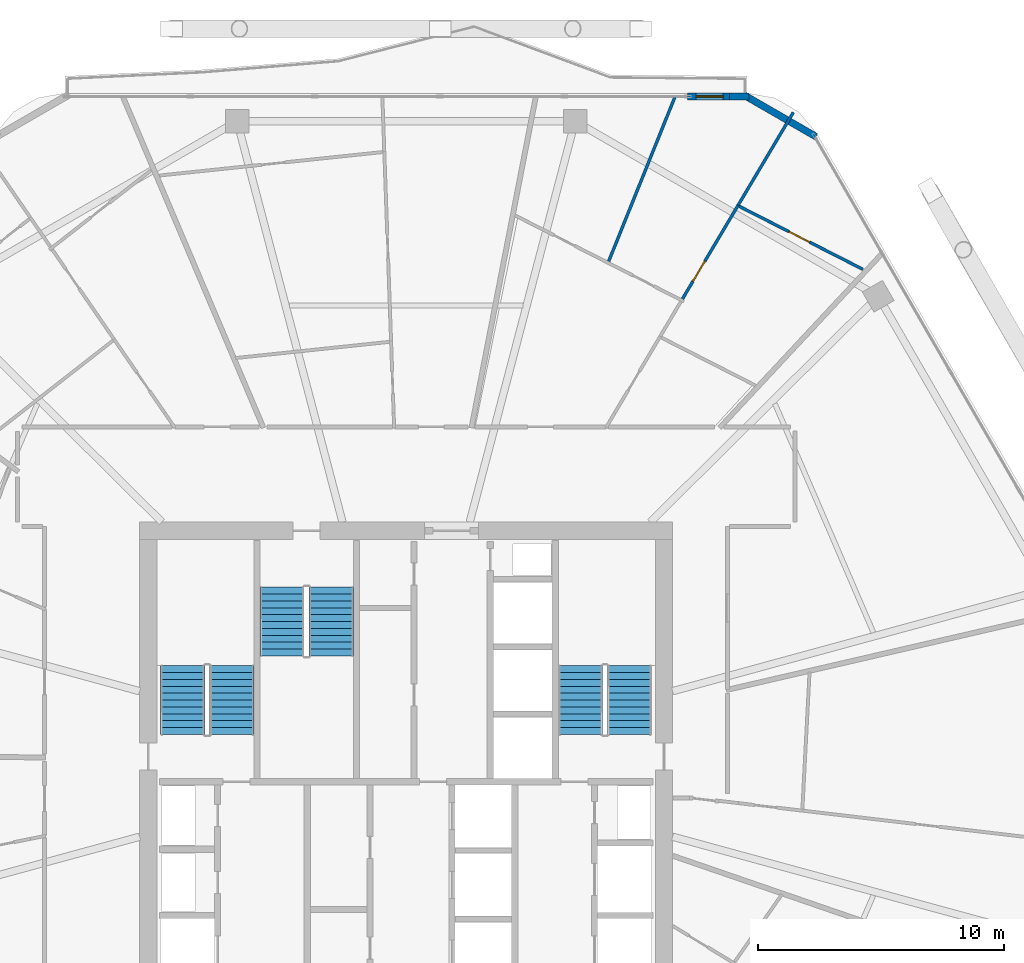
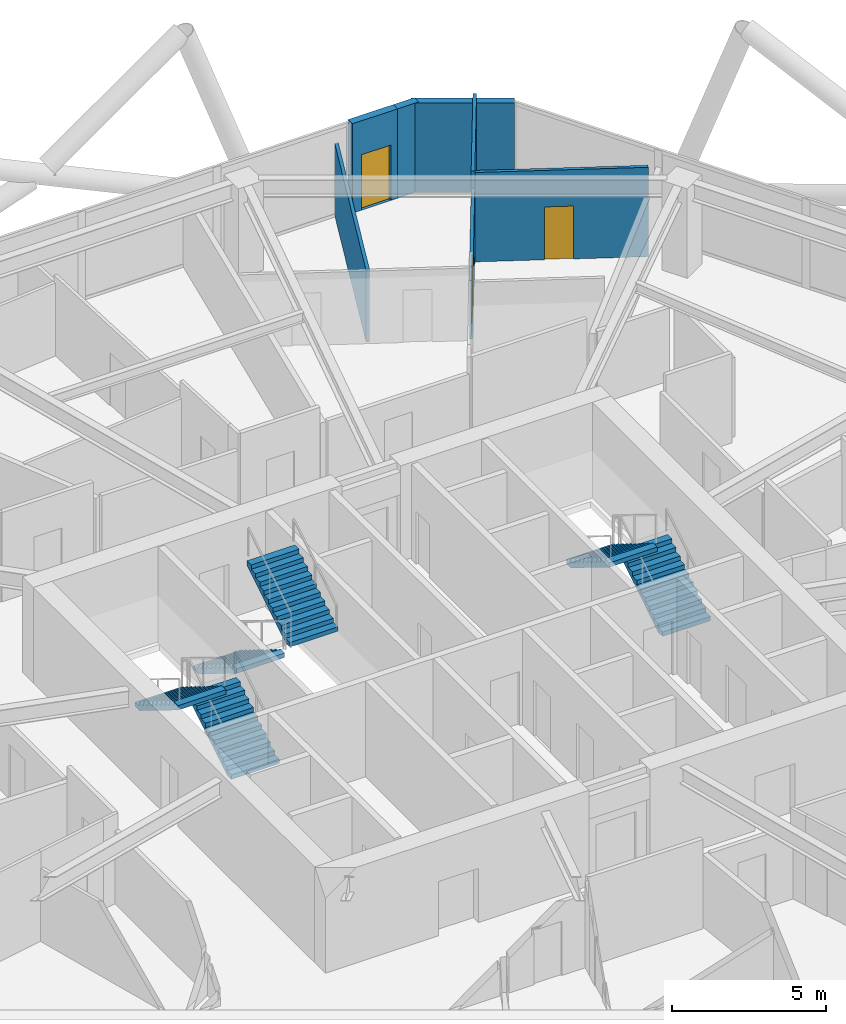
# One storey, part 26 of 28: 7 walls, 6 stair flights, 3 doors, 3 openings, 3 elements without a shape of their own.
"""IFC4 building model written with IfcOpenShell, lengths in metres."""

from ifc_helpers import new_model, si_unit, direction, frame, frame_2d, origin, place, context, subcontext, project, spatial, polyline, rectangle, outline, extrude, material, layer, layer_set, type_object, element, fill, aggregate, save


model = new_model("IFC4")

# Units and contexts
model_context = context("Model", 3, precision=1e-05, world=origin(), true_north=direction((0.0, 1.0)))
body_context = subcontext(model_context, "Body", "Model", "MODEL_VIEW")
ifc_project = project(units=[si_unit("LENGTHUNIT", "METRE"), si_unit("AREAUNIT", "SQUARE_METRE"), si_unit("VOLUMEUNIT", "CUBIC_METRE"), si_unit("PLANEANGLEUNIT", "RADIAN"), si_unit("MASSUNIT", "GRAM", prefix="KILO")], contexts=[model_context])

# Site, building, storey
site_placement = place(None, origin())
site = spatial("IfcSite", under=ifc_project, at=site_placement, CompositionType="ELEMENT")
building_placement = place(site_placement, origin())
building = spatial("IfcBuilding", under=site, at=building_placement, Name="Zuhravey Tower", CompositionType="ELEMENT")
storey_placement = place(building_placement, frame((0.0, 0.0, 207.39990234375)))
storey = spatial("IfcBuildingStorey", under=building, at=storey_placement, Name="L52", CompositionType="ELEMENT", Elevation=207.39990234375)

# Wall, opening, door
ifc_material_1 = material(Name="Precast concrete C40/50", Category="concrete")
ifc_layer_1 = layer(ifc_material_1, 0.280029296875)
ifc_layer_set_1 = layer_set([ifc_layer_1], Name="Precast concrete C40/50")
wall_type_1 = type_object("IfcWallType", Name="Crown Architectural Wall 280", PredefinedType="SOLIDWALL", material=ifc_layer_set_1)
wall_1_placement = place(storey_placement, frame((47.466064453125, 59.18310546875, 0.0), z_axis=(0.0, 0.0, 1.0), x_axis=(1.0, 0.0, 0.0)))
wall_1 = element("IfcWall", 1, at=wall_1_placement, inside=storey, type_object=wall_type_1, Name="L52 Face 2 Facade Pier EW28-1", PredefinedType="SOLIDWALL", context=body_context, shape_type="SweptSolid", body=[
    extrude(rectangle(XDim=1.7900390625, YDim=0.280029296875, at=frame_2d((0.89501953125, 0.0))), origin(), (0.0, 0.0, 1.0), 3.550048828125),
])
opening_1_placement = place(wall_1_placement, frame((0.344970703125, 0.0, 0.0)))
opening_1 = element("IfcOpeningElement", 2, at=opening_1_placement, cuts=wall_1, Name="Opening BLD1", PredefinedType="OPENING", context=body_context, shape_type="SweptSolid", body=[
    extrude(rectangle(XDim=1.10009765625, YDim=2.199951171875, at=frame_2d((0.550048828125, 1.10009765625))), frame((0.0, 0.152099609375, 0.0), z_axis=(0.0, -1.0, 0.0), x_axis=(1.0, 0.0, 0.0)), (0.0, 0.0, 1.0), 0.303955078125),
])
ifc_material_2 = material(Name="Thermally broken aluminium and low-E glass", Category="aluminium")
door_type_1 = type_object("IfcDoorType", Name="Balcony & Sky-Tray Glazed Door 1100x2200", OperationType="NOTDEFINED", PredefinedType="DOOR", material=ifc_material_2)
door_1_placement = place(opening_1_placement, frame((1.10009765625, 0.0, 0.0), z_axis=(0.0, 0.0, 1.0), x_axis=(-1.0, 0.0, 0.0)))
door_1 = element("IfcDoor", 3, at=door_1_placement, inside=storey, type_object=door_type_1, Name="L52 Face 2 Wave Balcony Door", OperationType="SINGLE_SWING_RIGHT", OverallHeight=2.199951171875, OverallWidth=1.10009765625, PredefinedType="DOOR", context=body_context, shape_type="SweptSolid", body=[
    extrude(rectangle(XDim=1.10009765625, YDim=2.199951171875, at=frame_2d((0.550048828125, 1.10009765625))), frame((0.0, 0.02490234375, 0.0), z_axis=(0.0, -1.0, 0.0), x_axis=(1.0, 0.0, 0.0)), (0.0, 0.0, 1.0), 0.050048828125),
])
fill(opening_1, door_1)

# Walls
wall_2_placement = place(storey_placement, frame((49.166015625, 59.18310546875, 0.0), z_axis=(0.0, 0.0, 1.0), x_axis=(1.0, 0.0, 0.0)))
element("IfcWall", 4, at=wall_2_placement, inside=storey, type_object=wall_type_1, Name="L52 Face 2 Closure Pier EW28", PredefinedType="SOLIDWALL", context=body_context, shape_type="SweptSolid", body=[
    extrude(rectangle(XDim=0.7900390625, YDim=0.280029296875, at=frame_2d((0.39501953125, 0.0))), origin(), (0.0, 0.0, 1.0), 3.550048828125),
])
wall_3_placement = place(storey_placement, frame((49.77880859375, 59.230712890625, 0.0), z_axis=(0.0, 0.0, 1.0), x_axis=(0.866020068361, -0.500009241111, 0.0)))
element("IfcWall", 5, at=wall_3_placement, inside=storey, type_object=wall_type_1, Name="L52 Rounded Corner Closure Wall EW28-10", PredefinedType="SOLIDWALL", context=body_context, shape_type="SweptSolid", body=[
    extrude(rectangle(XDim=3.365234375, YDim=0.280029296875, at=frame_2d((1.6826171875, 0.0))), origin(), (0.0, 0.0, 1.0), 3.550048828125),
])

# Wall, opening, door
ifc_material_3 = material(Name="Gypsum metal-stud partition")
ifc_layer_2 = layer(ifc_material_3, 0.1201171875)
ifc_layer_set_2 = layer_set([ifc_layer_2], Name="Gypsum metal-stud partition")
wall_type_2 = type_object("IfcWallType", Name="Unit Internal Partition 120", PredefinedType="PARTITIONING", material=ifc_layer_set_2)
wall_4_placement = place(storey_placement, frame((47.255859375, 50.94189453125, 0.0), z_axis=(0.0, 0.0, 1.0), x_axis=(0.510837189242, 0.859677477946, 0.0)))
wall_4 = element("IfcWall", 6, at=wall_4_placement, inside=storey, type_object=wall_type_2, Name="L52 IW12 Partition 023", PredefinedType="PARTITIONING", context=body_context, shape_type="SweptSolid", body=[
    extrude(rectangle(XDim=4.44140625, YDim=0.1201171875, at=frame_2d((2.220703125, 0.0))), origin(), (0.0, 0.0, 1.0), 2.8701171875),
])
opening_2_placement = place(wall_4_placement, frame((0.8330078125, 0.0, 0.0)))
opening_2 = element("IfcOpeningElement", 7, at=opening_2_placement, cuts=wall_4, Name="Opening IND1", PredefinedType="OPENING", context=body_context, shape_type="SweptSolid", body=[
    extrude(rectangle(XDim=0.949951171875, YDim=2.10009765625, at=frame_2d((0.47509765625, 1.050048828125))), frame((0.0, 0.072021484375, 0.0), z_axis=(0.0, -1.0, 0.0), x_axis=(1.0, 0.0, 0.0)), (0.0, 0.0, 1.0), 0.14404296875),
])
ifc_material_4 = material(Name="Painted engineered timber leaf", Category="wood")
door_type_2 = type_object("IfcDoorType", Name="Internal Room & Bedroom Door 950x2100", OperationType="NOTDEFINED", PredefinedType="DOOR", material=ifc_material_4)
door_2_placement = place(opening_2_placement, frame((0.949951171875, 0.0, 0.0), z_axis=(0.0, 0.0, 1.0), x_axis=(-1.0, 0.0, 0.0)))
door_2 = element("IfcDoor", 8, at=door_2_placement, inside=storey, type_object=door_type_2, Name="Apartment L52-01 Home Office Door", OperationType="SINGLE_SWING_RIGHT", OverallHeight=2.10009765625, OverallWidth=0.949951171875, PredefinedType="DOOR", context=body_context, shape_type="SweptSolid", body=[
    extrude(rectangle(XDim=0.949951171875, YDim=2.10009765625, at=frame_2d((0.47509765625, 1.050048828125))), frame((0.0, 0.02490234375, 0.0), z_axis=(0.0, -1.0, 0.0), x_axis=(1.0, 0.0, 0.0)), (0.0, 0.0, 1.0), 0.050048828125),
])
fill(opening_2, door_2)

wall_5_placement = place(storey_placement, frame((54.597412109375, 52.1474609375, 0.0), z_axis=(0.0, 0.0, 1.0), x_axis=(-0.891024959867, 0.453954315867, 0.0)))
wall_5 = element("IfcWall", 9, at=wall_5_placement, inside=storey, type_object=wall_type_2, Name="L52 IW12 Partition 024", PredefinedType="PARTITIONING", context=body_context, shape_type="SweptSolid", body=[
    extrude(rectangle(XDim=5.639404296875, YDim=0.1201171875, at=frame_2d((2.81982421875, 0.0))), origin(), (0.0, 0.0, 1.0), 3.550048828125),
])
opening_3_placement = place(wall_5_placement, frame((2.4287109375, 0.0, 0.0)))
opening_3 = element("IfcOpeningElement", 10, at=opening_3_placement, cuts=wall_5, Name="Opening IND1", PredefinedType="OPENING", context=body_context, shape_type="SweptSolid", body=[
    extrude(rectangle(XDim=0.949951171875, YDim=2.10009765625, at=frame_2d((0.47509765625, 1.050048828125))), frame((0.0, 0.072021484375, 0.0), z_axis=(0.0, -1.0, 0.0), x_axis=(1.0, 0.0, 0.0)), (0.0, 0.0, 1.0), 0.14404296875),
])
door_3_placement = place(opening_3_placement, frame((0.949951171875, 0.0, 0.0), z_axis=(0.0, 0.0, 1.0), x_axis=(-1.0, 0.0, 0.0)))
door_3 = element("IfcDoor", 11, at=door_3_placement, inside=storey, type_object=door_type_2, Name="Apartment L52-01 Kitchen Door", OperationType="SINGLE_SWING_LEFT", OverallHeight=2.10009765625, OverallWidth=0.949951171875, PredefinedType="DOOR", context=body_context, shape_type="SweptSolid", body=[
    extrude(rectangle(XDim=0.949951171875, YDim=2.10009765625, at=frame_2d((0.47509765625, 1.050048828125))), frame((0.0, 0.02490234375, 0.0), z_axis=(0.0, -1.0, 0.0), x_axis=(1.0, 0.0, 0.0)), (0.0, 0.0, 1.0), 0.050048828125),
])
fill(opening_3, door_3)

# Walls
wall_6_placement = place(storey_placement, frame((44.250732421875, 52.47314453125, 0.0), z_axis=(0.0, 0.0, 1.0), x_axis=(0.373770231309, 0.927521328158, 0.0)))
element("IfcWall", 12, at=wall_6_placement, inside=storey, type_object=wall_type_2, Name="L52 IW12 Partition 077", PredefinedType="PARTITIONING", context=body_context, shape_type="SweptSolid", body=[
    extrude(rectangle(XDim=7.2666015625, YDim=0.1201171875, at=frame_2d((3.63330078125, 0.0))), origin(), (0.0, 0.0, 1.0), 2.8701171875),
])
wall_7_placement = place(storey_placement, frame((49.524658203125, 54.760009765625, 0.0), z_axis=(0.0, 0.0, 1.0), x_axis=(0.51083552575, 0.859678466423, 0.0)))
element("IfcWall", 13, at=wall_7_placement, inside=storey, type_object=wall_type_2, Name="L52 IW12 Partition 079", PredefinedType="PARTITIONING", context=body_context, shape_type="SweptSolid", body=[
    extrude(rectangle(XDim=4.39013671875, YDim=0.1201171875, at=frame_2d((2.195068359375, 0.0))), origin(), (0.0, 0.0, 1.0), 3.550048828125),
])

# Stair, stair flights
ifc_material_5 = material(Name="Concrete C40/50", Category="concrete")
stair_type = type_object("IfcStairType", Name="Housing Storey Stair Assembly 3800", PredefinedType="HALF_TURN_STAIR", material=ifc_material_5)
stair_1_placement = place(storey_placement, origin())
stair_1 = element("IfcStair", 14, at=stair_1_placement, inside=storey, type_object=stair_type, Name="L52 Core Exit Stair ST1", PredefinedType="HALF_TURN_STAIR")
stair_flight_type = type_object("IfcStairFlightType", Name="Housing Storey Stair Flight 3800", PredefinedType="STRAIGHT", material=ifc_material_5)
stair_flight_1_placement = place(storey_placement, frame((28.89990234375, 33.199951171875, 0.0), z_axis=(0.0, 0.0, 1.0), x_axis=(0.0, 1.0, 0.0)))
stair_flight_1 = element("IfcStairFlight", 15, at=stair_flight_1_placement, type_object=stair_flight_type, Name="ST1 flight 1", NumberOfRisers=11, NumberOfTreads=10, PredefinedType="STRAIGHT", RiserHeight=0.172727273, TreadLength=0.28, context=body_context, shape_type="SweptSolid", body=[
    extrude(outline(polyline([(0.0, 0.0), (0.0, 0.172607421875), (0.280029296875, 0.172607421875), (0.280029296875, 0.345458984375), (0.56005859375, 0.345458984375), (0.56005859375, 0.51806640625), (0.840087890625, 0.51806640625), (0.840087890625, 0.69091796875), (1.1201171875, 0.69091796875), (1.1201171875, 0.863525390625), (1.39990234375, 0.863525390625), (1.39990234375, 1.036376953125), (1.679931640625, 1.036376953125), (1.679931640625, 1.208984375), (1.9599609375, 1.208984375), (1.9599609375, 1.3818359375), (2.239990234375, 1.3818359375), (2.239990234375, 1.554443359375), (2.52001953125, 1.554443359375), (2.52001953125, 1.727294921875), (2.800048828125, 1.727294921875), (2.800048828125, 1.89990234375), (2.800048828125, 1.551025390625), (0.285400390625, 0.0), (0.0, 0.0)])), frame((0.0, 0.89990234375, 0.0), z_axis=(0.0, -1.0, 0.0), x_axis=(1.0, 0.0, 0.0)), (0.0, 0.0, 1.0), 1.800048828125),
])
stair_flight_2_placement = place(storey_placement, frame((26.89990234375, 36.0, 1.900146484375), z_axis=(0.0, 0.0, 1.0), x_axis=(0.0, -1.0, 0.0)))
stair_flight_2 = element("IfcStairFlight", 16, at=stair_flight_2_placement, type_object=stair_flight_type, Name="ST1 flight 2", NumberOfRisers=11, NumberOfTreads=10, PredefinedType="STRAIGHT", RiserHeight=0.172727273, TreadLength=0.28, context=body_context, shape_type="SweptSolid", body=[
    extrude(outline(polyline([(0.0, 0.0), (0.0, 0.172607421875), (0.280029296875, 0.172607421875), (0.280029296875, 0.345458984375), (0.56005859375, 0.345458984375), (0.56005859375, 0.51806640625), (0.840087890625, 0.51806640625), (0.840087890625, 0.69091796875), (1.1201171875, 0.69091796875), (1.1201171875, 0.863525390625), (1.39990234375, 0.863525390625), (1.39990234375, 1.036376953125), (1.679931640625, 1.036376953125), (1.679931640625, 1.208984375), (1.9599609375, 1.208984375), (1.9599609375, 1.3818359375), (2.239990234375, 1.3818359375), (2.239990234375, 1.554443359375), (2.52001953125, 1.554443359375), (2.52001953125, 1.727294921875), (2.800048828125, 1.727294921875), (2.800048828125, 1.89990234375), (2.800048828125, 1.551025390625), (0.285400390625, 0.0), (0.0, 0.0)])), frame((0.0, 0.89990234375, 0.0), z_axis=(0.0, -1.0, 0.0), x_axis=(1.0, 0.0, 0.0)), (0.0, 0.0, 1.0), 1.800048828125),
])
aggregate(stair_1, [stair_flight_1, stair_flight_2])

stair_2_placement = place(storey_placement, origin())
stair_2 = element("IfcStair", 17, at=stair_2_placement, inside=storey, type_object=stair_type, Name="L52 Core Exit Stair ST2", PredefinedType="HALF_TURN_STAIR")
stair_flight_3_placement = place(storey_placement, frame((45.10009765625, 33.199951171875, 0.0), z_axis=(0.0, 0.0, 1.0), x_axis=(0.0, 1.0, 0.0)))
stair_flight_3 = element("IfcStairFlight", 18, at=stair_flight_3_placement, type_object=stair_flight_type, Name="ST2 flight 1", NumberOfRisers=11, NumberOfTreads=10, PredefinedType="STRAIGHT", RiserHeight=0.172727273, TreadLength=0.28, context=body_context, shape_type="SweptSolid", body=[
    extrude(outline(polyline([(0.0, 0.0), (0.0, 0.172607421875), (0.280029296875, 0.172607421875), (0.280029296875, 0.345458984375), (0.56005859375, 0.345458984375), (0.56005859375, 0.51806640625), (0.840087890625, 0.51806640625), (0.840087890625, 0.69091796875), (1.1201171875, 0.69091796875), (1.1201171875, 0.863525390625), (1.39990234375, 0.863525390625), (1.39990234375, 1.036376953125), (1.679931640625, 1.036376953125), (1.679931640625, 1.208984375), (1.9599609375, 1.208984375), (1.9599609375, 1.3818359375), (2.239990234375, 1.3818359375), (2.239990234375, 1.554443359375), (2.52001953125, 1.554443359375), (2.52001953125, 1.727294921875), (2.800048828125, 1.727294921875), (2.800048828125, 1.89990234375), (2.800048828125, 1.551025390625), (0.285400390625, 0.0), (0.0, 0.0)])), frame((0.0, 0.89990234375, 0.0), z_axis=(0.0, -1.0, 0.0), x_axis=(1.0, 0.0, 0.0)), (0.0, 0.0, 1.0), 1.800048828125),
])
stair_flight_4_placement = place(storey_placement, frame((43.10009765625, 36.0, 1.900146484375), z_axis=(0.0, 0.0, 1.0), x_axis=(0.0, -1.0, 0.0)))
stair_flight_4 = element("IfcStairFlight", 19, at=stair_flight_4_placement, type_object=stair_flight_type, Name="ST2 flight 2", NumberOfRisers=11, NumberOfTreads=10, PredefinedType="STRAIGHT", RiserHeight=0.172727273, TreadLength=0.28, context=body_context, shape_type="SweptSolid", body=[
    extrude(outline(polyline([(0.0, 0.0), (0.0, 0.172607421875), (0.280029296875, 0.172607421875), (0.280029296875, 0.345458984375), (0.56005859375, 0.345458984375), (0.56005859375, 0.51806640625), (0.840087890625, 0.51806640625), (0.840087890625, 0.69091796875), (1.1201171875, 0.69091796875), (1.1201171875, 0.863525390625), (1.39990234375, 0.863525390625), (1.39990234375, 1.036376953125), (1.679931640625, 1.036376953125), (1.679931640625, 1.208984375), (1.9599609375, 1.208984375), (1.9599609375, 1.3818359375), (2.239990234375, 1.3818359375), (2.239990234375, 1.554443359375), (2.52001953125, 1.554443359375), (2.52001953125, 1.727294921875), (2.800048828125, 1.727294921875), (2.800048828125, 1.89990234375), (2.800048828125, 1.551025390625), (0.285400390625, 0.0), (0.0, 0.0)])), frame((0.0, 0.89990234375, 0.0), z_axis=(0.0, -1.0, 0.0), x_axis=(1.0, 0.0, 0.0)), (0.0, 0.0, 1.0), 1.800048828125),
])
aggregate(stair_2, [stair_flight_3, stair_flight_4])

stair_3_placement = place(storey_placement, origin())
stair_3 = element("IfcStair", 20, at=stair_3_placement, inside=storey, type_object=stair_type, Name="L52 Core Exit Stair ST3", PredefinedType="HALF_TURN_STAIR")
stair_flight_5_placement = place(storey_placement, frame((30.949951171875, 39.199951171875, 0.0), z_axis=(0.0, 0.0, 1.0), x_axis=(0.0, -1.0, 0.0)))
stair_flight_5 = element("IfcStairFlight", 21, at=stair_flight_5_placement, type_object=stair_flight_type, Name="ST3 flight 1", NumberOfRisers=11, NumberOfTreads=10, PredefinedType="STRAIGHT", RiserHeight=0.172727273, TreadLength=0.28, context=body_context, shape_type="SweptSolid", body=[
    extrude(outline(polyline([(0.0, 0.0), (0.0, 0.172607421875), (0.280029296875, 0.172607421875), (0.280029296875, 0.345458984375), (0.56005859375, 0.345458984375), (0.56005859375, 0.51806640625), (0.840087890625, 0.51806640625), (0.840087890625, 0.69091796875), (1.1201171875, 0.69091796875), (1.1201171875, 0.863525390625), (1.39990234375, 0.863525390625), (1.39990234375, 1.036376953125), (1.679931640625, 1.036376953125), (1.679931640625, 1.208984375), (1.9599609375, 1.208984375), (1.9599609375, 1.3818359375), (2.239990234375, 1.3818359375), (2.239990234375, 1.554443359375), (2.52001953125, 1.554443359375), (2.52001953125, 1.727294921875), (2.800048828125, 1.727294921875), (2.800048828125, 1.89990234375), (2.800048828125, 1.551025390625), (0.285400390625, 0.0), (0.0, 0.0)])), frame((0.0, 0.89990234375, 0.0), z_axis=(0.0, -1.0, 0.0), x_axis=(1.0, 0.0, 0.0)), (0.0, 0.0, 1.0), 1.800048828125),
])
stair_flight_6_placement = place(storey_placement, frame((32.949951171875, 36.39990234375, 1.900146484375), z_axis=(0.0, 0.0, 1.0), x_axis=(0.0, 1.0, 0.0)))
stair_flight_6 = element("IfcStairFlight", 22, at=stair_flight_6_placement, type_object=stair_flight_type, Name="ST3 flight 2", NumberOfRisers=11, NumberOfTreads=10, PredefinedType="STRAIGHT", RiserHeight=0.172727273, TreadLength=0.28, context=body_context, shape_type="SweptSolid", body=[
    extrude(outline(polyline([(0.0, 0.0), (0.0, 0.172607421875), (0.280029296875, 0.172607421875), (0.280029296875, 0.345458984375), (0.56005859375, 0.345458984375), (0.56005859375, 0.51806640625), (0.840087890625, 0.51806640625), (0.840087890625, 0.69091796875), (1.1201171875, 0.69091796875), (1.1201171875, 0.863525390625), (1.39990234375, 0.863525390625), (1.39990234375, 1.036376953125), (1.679931640625, 1.036376953125), (1.679931640625, 1.208984375), (1.9599609375, 1.208984375), (1.9599609375, 1.3818359375), (2.239990234375, 1.3818359375), (2.239990234375, 1.554443359375), (2.52001953125, 1.554443359375), (2.52001953125, 1.727294921875), (2.800048828125, 1.727294921875), (2.800048828125, 1.89990234375), (2.800048828125, 1.551025390625), (0.285400390625, 0.0), (0.0, 0.0)])), frame((0.0, 0.89990234375, 0.0), z_axis=(0.0, -1.0, 0.0), x_axis=(1.0, 0.0, 0.0)), (0.0, 0.0, 1.0), 1.800048828125),
])
aggregate(stair_3, [stair_flight_5, stair_flight_6])

save(model, "model.ifc")
